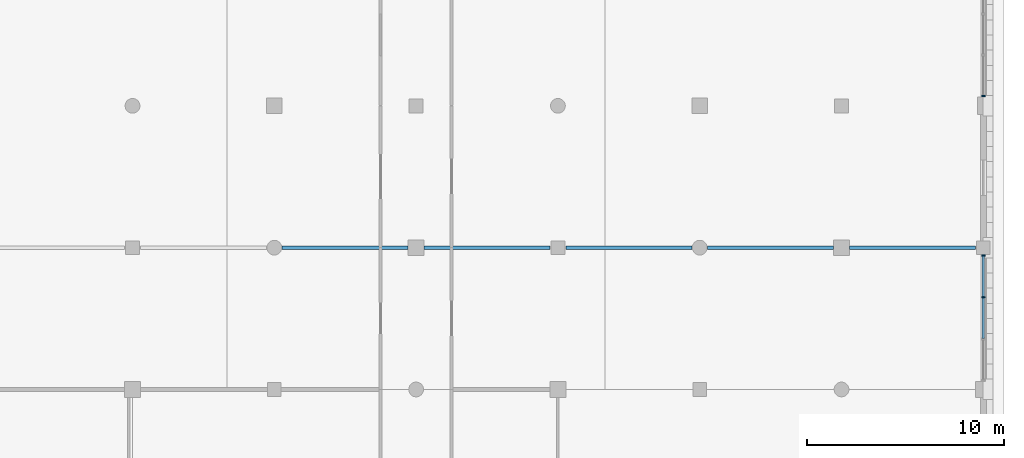
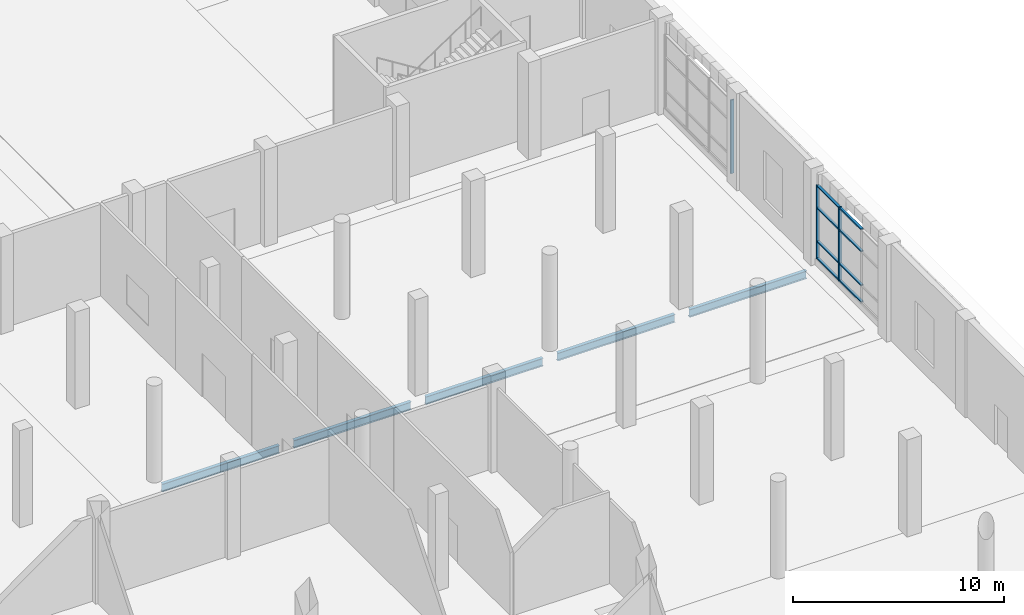
# One storey, part 30 of 85: 11 members, 5 beams, 2 elements without a shape of their own.
"""IFC4 building model written with IfcOpenShell, lengths in metres."""

from ifc_helpers import new_model, si_unit, direction, frame, origin, origin_2d, place, context, subcontext, project, spatial, rectangle, i_section, extrude, material, material_profile, profile_set, type_object, element, aggregate, save


model = new_model("IFC4")

# Units and contexts
model_context = context("Model", 3, precision=1e-05, world=origin(), true_north=direction((0.0, 1.0)))
body_context = subcontext(model_context, "Body", "Model", "MODEL_VIEW")
ifc_project = project(units=[si_unit("LENGTHUNIT", "METRE"), si_unit("AREAUNIT", "SQUARE_METRE"), si_unit("VOLUMEUNIT", "CUBIC_METRE"), si_unit("PLANEANGLEUNIT", "RADIAN"), si_unit("MASSUNIT", "GRAM", prefix="KILO")], contexts=[model_context])

# Site, building, storey
site_placement = place(None, origin())
site = spatial("IfcSite", under=ifc_project, at=site_placement, CompositionType="ELEMENT")
building_placement = place(site_placement, origin())
building = spatial("IfcBuilding", under=site, at=building_placement, Name="Sardonyx Promenade Sports Hall", CompositionType="ELEMENT")
storey_placement = place(building_placement, origin())
storey = spatial("IfcBuildingStorey", under=building, at=storey_placement, Name="L00", CompositionType="ELEMENT", Elevation=0.0)

# Beams
ifc_material_1 = material(Name="Steel S355JR", Category="steel")
ifc_material_profile_1 = material_profile(ifc_material_1, i_section(OverallWidth=0.18994140625, OverallDepth=0.453369140625, WebThickness=0.008544921875, FlangeThickness=0.0126953125, at=origin_2d()))
ifc_profile_set_1 = profile_set([ifc_material_profile_1], Name="Steel S355JR")
beam_type = type_object("IfcBeamType", Name="Bm_Girder_UB457", PredefinedType="BEAM", material=ifc_profile_set_1)
beam_placement = place(storey_placement, frame((130.0, 36.0, -0.646728515625), z_axis=(1.0, 0.0, 0.0), x_axis=(0.0, 1.0, 0.0)))
element("IfcBeam", 1, at=beam_placement, inside=storey, type_object=beam_type, Name="Beam SB01 L00 #118", PredefinedType="BEAM", context=body_context, shape_type="SweptSolid", body=[
    extrude(i_section(OverallWidth=0.18994140625, OverallDepth=0.453369140625, WebThickness=0.008544921875, FlangeThickness=0.0126953125, at=origin_2d()), origin(), (0.0, 0.0, 1.0), 6.39990234375),
])
for number, where, z_axis, x_axis, name in (
    (2, (137.199951171875, 36.0, -0.646728515625), (1.0, 0.0, 0.0), (0.0, 1.0, 0.0), "Beam SB01 L00 #119"),
    (3, (144.39990234375, 36.0, -0.646728515625), (1.0, 0.0, 0.0), (0.0, 1.0, 0.0), "Beam SB01 L00 #120"),
):
    element("IfcBeam", number, at=place(storey_placement, frame(where, z_axis=z_axis, x_axis=x_axis)), inside=storey, type_object=beam_type, Name=name, PredefinedType="BEAM", context=body_context, shape_type="SweptSolid", body=[
        extrude(i_section(OverallWidth=0.18994140625, OverallDepth=0.453369140625, WebThickness=0.008544921875, FlangeThickness=0.0126953125, at=origin_2d()), origin(), (0.0, 0.0, 1.0), 6.400146484375),
    ])
for number, where, z_axis, x_axis, name in (
    (4, (151.60009765625, 36.0, -0.646728515625), (1.0, 0.0, 0.0), (0.0, 1.0, 0.0), "Beam SB01 L00 #121"),
    (5, (158.800048828125, 36.0, -0.646728515625), (1.0, 0.0, 0.0), (0.0, 1.0, 0.0), "Beam SB01 L00 #122"),
):
    element("IfcBeam", number, at=place(storey_placement, frame(where, z_axis=z_axis, x_axis=x_axis)), inside=storey, type_object=beam_type, Name=name, PredefinedType="BEAM", context=body_context, shape_type="SweptSolid", body=[
        extrude(i_section(OverallWidth=0.18994140625, OverallDepth=0.453369140625, WebThickness=0.008544921875, FlangeThickness=0.0126953125, at=origin_2d()), origin(), (0.0, 0.0, 1.0), 6.39990234375),
    ])

# Curtain wall, member
ifc_material_2 = material(Name="Aluminium 6063-T6", Category="aluminium")
curtain_wall_type = type_object("IfcCurtainWallType", Name="CW_EastWing_L00", PredefinedType="USERDEFINED", material=ifc_material_2)
curtain_wall_1_placement = place(storey_placement, origin())
curtain_wall_1 = element("IfcCurtainWall", 6, at=curtain_wall_1_placement, inside=storey, type_object=curtain_wall_type, Name="Curtain wall CW07 cw:L00:049", ObjectType="CURTAIN WALL", PredefinedType="USERDEFINED")
ifc_material_3 = material(Name="Aluminium 6063-T6", Category="aluminium")
ifc_material_profile_2 = material_profile(ifc_material_3, rectangle(XDim=0.06494140625, YDim=0.175048828125, at=origin_2d()))
ifc_profile_set_2 = profile_set([ifc_material_profile_2], Name="Aluminium 6063-T6")
member_type_1 = type_object("IfcMemberType", Name="CW_Mull_175", PredefinedType="MULLION", material=ifc_profile_set_2)
member_1_placement = place(storey_placement, frame((165.60009765625, 43.702392578125, 0.35009765625), z_axis=(0.0, 0.0, 1.0), x_axis=(0.0, -1.0, 0.0)))
member_1 = element("IfcMember", 7, at=member_1_placement, type_object=member_type_1, Name="Mullion CM02 cw:L00:049 #4", PredefinedType="MULLION", context=body_context, shape_type="SweptSolid", body=[
    extrude(rectangle(XDim=0.06494140625, YDim=0.175048828125, at=origin_2d()), origin(), (0.0, 0.0, 1.0), 4.25),
])
aggregate(curtain_wall_1, [member_1])

# Curtain wall, members
curtain_wall_2_placement = place(storey_placement, origin())
curtain_wall_2 = element("IfcCurtainWall", 8, at=curtain_wall_2_placement, inside=storey, type_object=curtain_wall_type, Name="Curtain wall CW07 cw:L00:050", ObjectType="CURTAIN WALL", PredefinedType="USERDEFINED")
member_2_placement = place(storey_placement, frame((165.60009765625, 35.597412109375, 0.35009765625), z_axis=(0.0, 0.0, 1.0), x_axis=(0.0, -1.0, 0.0)))
member_2 = element("IfcMember", 9, at=member_2_placement, type_object=member_type_1, Name="Mullion CM02 cw:L00:050 #1", PredefinedType="MULLION", context=body_context, shape_type="SweptSolid", body=[
    extrude(rectangle(XDim=0.06494140625, YDim=0.175048828125, at=origin_2d()), origin(), (0.0, 0.0, 1.0), 4.25),
])
member_3_placement = place(storey_placement, frame((165.60009765625, 33.482421875, 0.35009765625), z_axis=(0.0, 0.0, 1.0), x_axis=(0.0, -1.0, 0.0)))
member_3 = element("IfcMember", 10, at=member_3_placement, type_object=member_type_1, Name="Mullion CM02 cw:L00:050 #2", PredefinedType="MULLION", context=body_context, shape_type="SweptSolid", body=[
    extrude(rectangle(XDim=0.06494140625, YDim=0.175048828125, at=origin_2d()), origin(), (0.0, 0.0, 1.0), 4.25),
])
ifc_material_4 = material(Name="Aluminium 6063-T6", Category="aluminium")
ifc_material_profile_3 = material_profile(ifc_material_4, rectangle(XDim=0.06494140625, YDim=0.139892578125, at=origin_2d()))
ifc_profile_set_3 = profile_set([ifc_material_profile_3], Name="Aluminium 6063-T6")
member_type_2 = type_object("IfcMemberType", Name="CW_Tran_140", PredefinedType="USERDEFINED", material=ifc_profile_set_3)
member_4_placement = place(storey_placement, frame((165.60009765625, 35.56494140625, 0.382568359375), z_axis=(0.0, -1.0, 0.0), x_axis=(0.0, 0.0, 1.0)))
member_4 = element("IfcMember", 11, at=member_4_placement, type_object=member_type_2, Name="Transom CT02 cw:L00:050 #1", ObjectType="TRANSOM", PredefinedType="USERDEFINED", context=body_context, shape_type="SweptSolid", body=[
    extrude(rectangle(XDim=0.06494140625, YDim=0.139892578125, at=origin_2d()), origin(), (0.0, 0.0, 1.0), 2.050048828125),
])
member_5_placement = place(storey_placement, frame((165.60009765625, 35.56494140625, 1.35009765625), z_axis=(0.0, -1.0, 0.0), x_axis=(0.0, 0.0, 1.0)))
member_5 = element("IfcMember", 12, at=member_5_placement, type_object=member_type_2, Name="Transom CT02 cw:L00:050 #2", ObjectType="TRANSOM", PredefinedType="USERDEFINED", context=body_context, shape_type="SweptSolid", body=[
    extrude(rectangle(XDim=0.06494140625, YDim=0.139892578125, at=origin_2d()), origin(), (0.0, 0.0, 1.0), 2.050048828125),
])
member_6_placement = place(storey_placement, frame((165.60009765625, 35.56494140625, 3.300048828125), z_axis=(0.0, -1.0, 0.0), x_axis=(0.0, 0.0, 1.0)))
member_6 = element("IfcMember", 13, at=member_6_placement, type_object=member_type_2, Name="Transom CT02 cw:L00:050 #3", ObjectType="TRANSOM", PredefinedType="USERDEFINED", context=body_context, shape_type="SweptSolid", body=[
    extrude(rectangle(XDim=0.06494140625, YDim=0.139892578125, at=origin_2d()), origin(), (0.0, 0.0, 1.0), 2.050048828125),
])
member_7_placement = place(storey_placement, frame((165.60009765625, 35.56494140625, 4.5673828125), z_axis=(0.0, -1.0, 0.0), x_axis=(0.0, 0.0, 1.0)))
member_7 = element("IfcMember", 14, at=member_7_placement, type_object=member_type_2, Name="Transom CT02 cw:L00:050 #4", ObjectType="TRANSOM", PredefinedType="USERDEFINED", context=body_context, shape_type="SweptSolid", body=[
    extrude(rectangle(XDim=0.06494140625, YDim=0.139892578125, at=origin_2d()), origin(), (0.0, 0.0, 1.0), 2.050048828125),
])
member_8_placement = place(storey_placement, frame((165.60009765625, 33.449951171875, 0.382568359375), z_axis=(0.0, -1.0, 0.0), x_axis=(0.0, 0.0, 1.0)))
member_8 = element("IfcMember", 15, at=member_8_placement, type_object=member_type_2, Name="Transom CT02 cw:L00:050 #5", ObjectType="TRANSOM", PredefinedType="USERDEFINED", context=body_context, shape_type="SweptSolid", body=[
    extrude(rectangle(XDim=0.06494140625, YDim=0.139892578125, at=origin_2d()), origin(), (0.0, 0.0, 1.0), 2.050048828125),
])
member_9_placement = place(storey_placement, frame((165.60009765625, 33.449951171875, 1.35009765625), z_axis=(0.0, -1.0, 0.0), x_axis=(0.0, 0.0, 1.0)))
member_9 = element("IfcMember", 16, at=member_9_placement, type_object=member_type_2, Name="Transom CT02 cw:L00:050 #6", ObjectType="TRANSOM", PredefinedType="USERDEFINED", context=body_context, shape_type="SweptSolid", body=[
    extrude(rectangle(XDim=0.06494140625, YDim=0.139892578125, at=origin_2d()), origin(), (0.0, 0.0, 1.0), 2.050048828125),
])
member_10_placement = place(storey_placement, frame((165.60009765625, 33.449951171875, 3.300048828125), z_axis=(0.0, -1.0, 0.0), x_axis=(0.0, 0.0, 1.0)))
member_10 = element("IfcMember", 17, at=member_10_placement, type_object=member_type_2, Name="Transom CT02 cw:L00:050 #7", ObjectType="TRANSOM", PredefinedType="USERDEFINED", context=body_context, shape_type="SweptSolid", body=[
    extrude(rectangle(XDim=0.06494140625, YDim=0.139892578125, at=origin_2d()), origin(), (0.0, 0.0, 1.0), 2.050048828125),
])
member_11_placement = place(storey_placement, frame((165.60009765625, 33.449951171875, 4.5673828125), z_axis=(0.0, -1.0, 0.0), x_axis=(0.0, 0.0, 1.0)))
member_11 = element("IfcMember", 18, at=member_11_placement, type_object=member_type_2, Name="Transom CT02 cw:L00:050 #8", ObjectType="TRANSOM", PredefinedType="USERDEFINED", context=body_context, shape_type="SweptSolid", body=[
    extrude(rectangle(XDim=0.06494140625, YDim=0.139892578125, at=origin_2d()), origin(), (0.0, 0.0, 1.0), 2.050048828125),
])
aggregate(curtain_wall_2, [member_2, member_3, member_4, member_5, member_6, member_7, member_8, member_9, member_10, member_11])

save(model, "model.ifc")
